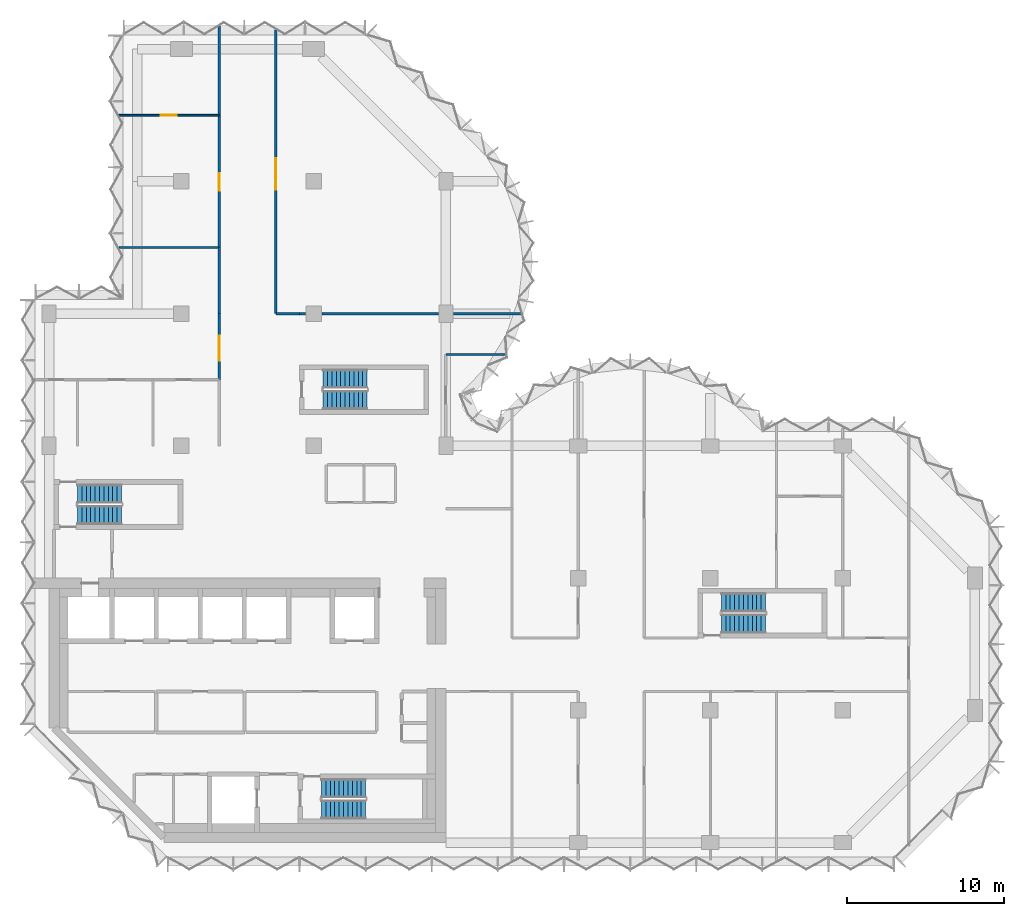
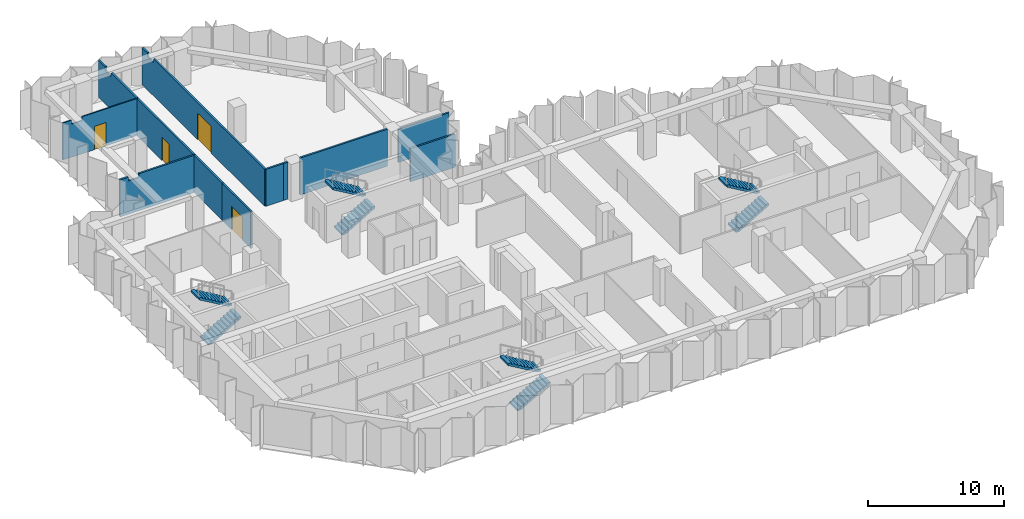
# One storey, part 8 of 10: 12 walls, 8 stair flights, 4 doors, 4 openings, 4 elements without a shape of their own.
"""IFC4 building model written with IfcOpenShell, lengths in metres."""

from ifc_helpers import new_model, si_unit, direction, frame, frame_2d, origin, place, context, subcontext, project, spatial, polyline, rectangle, outline, extrude, material, layer, layer_set, type_object, element, fill, aggregate, save


model = new_model("IFC4")

# Units and contexts
model_context = context("Model", 3, precision=1e-05, world=origin(), true_north=direction((0.0, 1.0)))
body_context = subcontext(model_context, "Body", "Model", "MODEL_VIEW")
ifc_project = project(units=[si_unit("LENGTHUNIT", "METRE"), si_unit("AREAUNIT", "SQUARE_METRE"), si_unit("VOLUMEUNIT", "CUBIC_METRE"), si_unit("PLANEANGLEUNIT", "RADIAN"), si_unit("MASSUNIT", "GRAM", prefix="KILO")], contexts=[model_context])

# Site, building, storey
site_placement = place(None, origin())
site = spatial("IfcSite", under=ifc_project, at=site_placement, CompositionType="ELEMENT")
building_placement = place(site_placement, origin())
building = spatial("IfcBuilding", under=site, at=building_placement, Name="Brevane Broadcast Tower", CompositionType="ELEMENT")
storey_placement = place(building_placement, frame((0.0, 0.0, 174.0)))
storey = spatial("IfcBuildingStorey", under=building, at=storey_placement, Name="L43", CompositionType="ELEMENT", Elevation=174.0)

# Wall, opening, door
ifc_material_1 = material(Name="Gypsum board partition")
ifc_layer_1 = layer(ifc_material_1, 0.10009765625)
ifc_layer_set_1 = layer_set([ifc_layer_1], Name="PARTITION 100 STUD")
wall_type_1 = type_object("IfcWallType", Name="PARTITION 100 STUD", PredefinedType="PARTITIONING", material=ifc_layer_set_1)
wall_1_placement = place(storey_placement, frame((4.426025390625, 46.199951171875, 0.0), z_axis=(0.0, 0.0, 1.0), x_axis=(1.0, 0.0, 0.0)))
wall_1 = element("IfcWall", 1, at=wall_1_placement, inside=storey, type_object=wall_type_1, Name="Partition G12-054", PredefinedType="PARTITIONING", context=body_context, shape_type="SweptSolid", body=[
    extrude(outline(polyline([(0.0, 0.0), (6.3740234375, 0.0), (6.3740234375, 3.330078125), (1.6240234375, 3.330078125), (1.6220703125, 2.97998046875), (0.72607421875, 2.97998046875), (0.72412109375, 3.330078125), (0.073974609375, 3.330078125), (0.0, 3.330078125), (0.0, 0.0)])), frame((0.0, 0.050048828125, 0.0), z_axis=(0.0, -1.0, 0.0), x_axis=(1.0, 0.0, 0.0)), (0.0, 0.0, 1.0), 0.10009765625),
])
opening_1_placement = place(wall_1_placement, frame((2.674072265625, 0.0, 0.0)))
opening_1 = element("IfcOpeningElement", 2, at=opening_1_placement, cuts=wall_1, Name="Opening D21-018", PredefinedType="OPENING", context=body_context, shape_type="SweptSolid", body=[
    extrude(rectangle(XDim=1.0, YDim=2.10009765625, at=frame_2d((0.5, 1.050048828125))), frame((0.0, 0.06005859375, 0.0), z_axis=(0.0, -1.0, 0.0), x_axis=(1.0, 0.0, 0.0)), (0.0, 0.0, 1.0), 0.1201171875),
])
ifc_material_2 = material(Name="Timber door leaf", Category="wood")
door_type_1 = type_object("IfcDoorType", Name="DOOR SINGLE 1000 INTERNAL", OperationType="SINGLE_SWING_LEFT", PredefinedType="DOOR", material=ifc_material_2)
door_1_placement = place(opening_1_placement, origin())
door_1 = element("IfcDoor", 3, at=door_1_placement, inside=storey, type_object=door_type_1, Name="Door D21-018", OperationType="SINGLE_SWING_LEFT", OverallHeight=2.10009765625, OverallWidth=1.0, PredefinedType="DOOR", context=body_context, shape_type="SweptSolid", body=[
    extrude(rectangle(XDim=1.0, YDim=2.10009765625, at=frame_2d((0.5, 1.050048828125))), frame((0.0, 0.02490234375, 0.0), z_axis=(0.0, -1.0, 0.0), x_axis=(1.0, 0.0, 0.0)), (0.0, 0.0, 1.0), 0.050048828125),
])
fill(opening_1, door_1)

# Wall
ifc_layer_2 = layer(ifc_material_1, 0.14990234375)
ifc_layer_set_2 = layer_set([ifc_layer_2], Name="PARTITION 150 EI 60")
wall_type_2 = type_object("IfcWallType", Name="PARTITION 150 EI 60", PredefinedType="PARTITIONING", material=ifc_layer_set_2)
wall_2_placement = place(storey_placement, frame((25.199951171875, 31.0, 0.0), z_axis=(0.0, 0.0, 1.0), x_axis=(1.0, 0.0, 0.0)))
element("IfcWall", 4, at=wall_2_placement, inside=storey, type_object=wall_type_2, Name="Partition G12-006", PredefinedType="PARTITIONING", context=body_context, shape_type="SweptSolid", body=[
    extrude(rectangle(XDim=3.80615234375, YDim=0.14990234375, at=frame_2d((1.903076171875, 0.0))), origin(), (0.0, 0.0, 1.0), 2.97998046875),
])

# Wall, opening, door
wall_3_placement = place(storey_placement, frame((10.800048828125, 29.39990234375, 0.0), z_axis=(0.0, 0.0, 1.0), x_axis=(0.0, 1.0, 0.0)))
wall_3 = element("IfcWall", 5, at=wall_3_placement, inside=storey, type_object=wall_type_2, Name="Partition G12-038", PredefinedType="PARTITIONING", context=body_context, shape_type="SweptSolid", body=[
    extrude(rectangle(XDim=4.2001953125, YDim=0.14990234375, at=frame_2d((2.10009765625, 0.0))), origin(), (0.0, 0.0, 1.0), 3.330078125),
])
opening_2_placement = place(wall_3_placement, frame((1.199951171875, 0.0, 0.0)))
opening_2 = element("IfcOpeningElement", 6, at=opening_2_placement, cuts=wall_3, Name="Opening D21-013", PredefinedType="OPENING", context=body_context, shape_type="SweptSolid", body=[
    extrude(rectangle(XDim=1.60009765625, YDim=2.10009765625, at=frame_2d((0.800048828125, 1.050048828125))), frame((0.0, 0.0849609375, 0.0), z_axis=(0.0, -1.0, 0.0), x_axis=(1.0, 0.0, 0.0)), (0.0, 0.0, 1.0), 0.169921875),
])
ifc_material_3 = material(Name="Fire-rated timber door leaf", Category="wood")
door_type_2 = type_object("IfcDoorType", Name="DOOR DOUBLE 1600 FD30S", OperationType="DOUBLE_DOOR_SINGLE_SWING", PredefinedType="DOOR", material=ifc_material_3)
door_2_placement = place(opening_2_placement, origin())
door_2 = element("IfcDoor", 7, at=door_2_placement, inside=storey, type_object=door_type_2, Name="Door D21-013", OperationType="DOUBLE_DOOR_SINGLE_SWING", OverallHeight=2.10009765625, OverallWidth=1.60009765625, PredefinedType="DOOR", context=body_context, shape_type="SweptSolid", body=[
    extrude(rectangle(XDim=1.60009765625, YDim=2.10009765625, at=frame_2d((0.800048828125, 1.050048828125))), frame((0.0, 0.02490234375, 0.0), z_axis=(0.0, -1.0, 0.0), x_axis=(1.0, 0.0, 0.0)), (0.0, 0.0, 1.0), 0.050048828125),
])
fill(opening_2, door_2)

# Walls
wall_4_placement = place(storey_placement, frame((14.39990234375, 33.60009765625, 0.0), z_axis=(0.0, 0.0, 1.0), x_axis=(1.0, 0.0, 0.0)))
element("IfcWall", 8, at=wall_4_placement, inside=storey, type_object=wall_type_2, Name="Partition G12-040", PredefinedType="PARTITIONING", context=body_context, shape_type="SweptSolid", body=[
    extrude(rectangle(XDim=1.5, YDim=0.14990234375, at=frame_2d((0.75, 0.0))), origin(), (0.0, 0.0, 1.0), 3.330078125),
])
wall_5_placement = place(storey_placement, frame((15.89990234375, 33.60009765625, 0.0), z_axis=(0.0, 0.0, 1.0), x_axis=(1.0, 0.0, 0.0)))
element("IfcWall", 9, at=wall_5_placement, inside=storey, type_object=wall_type_2, Name="Partition G12-041", PredefinedType="PARTITIONING", context=body_context, shape_type="SweptSolid", body=[
    extrude(rectangle(XDim=0.380126953125, YDim=0.14990234375, at=frame_2d((0.18994140625, 0.0))), origin(), (0.0, 0.0, 1.0), 3.330078125),
])
wall_6_placement = place(storey_placement, frame((17.320068359375, 33.60009765625, 0.0), z_axis=(0.0, 0.0, 1.0), x_axis=(1.0, 0.0, 0.0)))
element("IfcWall", 10, at=wall_6_placement, inside=storey, type_object=wall_type_2, Name="Partition G12-042", PredefinedType="PARTITIONING", context=body_context, shape_type="SweptSolid", body=[
    extrude(rectangle(XDim=7.409912109375, YDim=0.14990234375, at=frame_2d((3.705078125, 0.0))), origin(), (0.0, 0.0, 1.0), 3.330078125),
])
wall_7_placement = place(storey_placement, frame((25.669921875, 33.60009765625, 0.0), z_axis=(0.0, 0.0, 1.0), x_axis=(1.0, 0.0, 0.0)))
element("IfcWall", 11, at=wall_7_placement, inside=storey, type_object=wall_type_2, Name="Partition G12-043", PredefinedType="PARTITIONING", context=body_context, shape_type="SweptSolid", body=[
    extrude(rectangle(XDim=4.318359375, YDim=0.14990234375, at=frame_2d((2.1591796875, 0.0))), origin(), (0.0, 0.0, 1.0), 2.97998046875),
])
wall_8_placement = place(storey_placement, frame((10.800048828125, 33.60009765625, 0.0), z_axis=(0.0, 0.0, 1.0), x_axis=(0.0, 1.0, 0.0)))
element("IfcWall", 12, at=wall_8_placement, inside=storey, type_object=wall_type_2, Name="Partition G12-044", PredefinedType="PARTITIONING", context=body_context, shape_type="SweptSolid", body=[
    extrude(rectangle(XDim=4.199951171875, YDim=0.14990234375, at=frame_2d((2.10009765625, 0.0))), origin(), (0.0, 0.0, 1.0), 3.330078125),
])

# Wall, opening, door
wall_9_placement = place(storey_placement, frame((10.800048828125, 37.800048828125, 0.0), z_axis=(0.0, 0.0, 1.0), x_axis=(0.0, 1.0, 0.0)))
wall_9 = element("IfcWall", 13, at=wall_9_placement, inside=storey, type_object=wall_type_2, Name="Partition G12-045", PredefinedType="PARTITIONING", context=body_context, shape_type="SweptSolid", body=[
    extrude(rectangle(XDim=8.39990234375, YDim=0.14990234375, at=frame_2d((4.199951171875, 0.0))), origin(), (0.0, 0.0, 1.0), 3.330078125),
])
opening_3_placement = place(wall_9_placement, frame((3.60009765625, 0.0, 0.0)))
opening_3 = element("IfcOpeningElement", 14, at=opening_3_placement, cuts=wall_9, Name="Opening D21-017", PredefinedType="OPENING", context=body_context, shape_type="SweptSolid", body=[
    extrude(rectangle(XDim=1.10009765625, YDim=2.10009765625, at=frame_2d((0.550048828125, 1.050048828125))), frame((0.0, 0.0849609375, 0.0), z_axis=(0.0, -1.0, 0.0), x_axis=(1.0, 0.0, 0.0)), (0.0, 0.0, 1.0), 0.169921875),
])
door_type_3 = type_object("IfcDoorType", Name="DOOR SINGLE 1100 FD30S", OperationType="SINGLE_SWING_LEFT", PredefinedType="DOOR", material=ifc_material_3)
door_3_placement = place(opening_3_placement, origin())
door_3 = element("IfcDoor", 15, at=door_3_placement, inside=storey, type_object=door_type_3, Name="Door D21-017", OperationType="SINGLE_SWING_LEFT", OverallHeight=2.10009765625, OverallWidth=1.10009765625, PredefinedType="DOOR", context=body_context, shape_type="SweptSolid", body=[
    extrude(rectangle(XDim=1.10009765625, YDim=2.10009765625, at=frame_2d((0.550048828125, 1.050048828125))), frame((0.0, 0.02490234375, 0.0), z_axis=(0.0, -1.0, 0.0), x_axis=(1.0, 0.0, 0.0)), (0.0, 0.0, 1.0), 0.050048828125),
])
fill(opening_3, door_3)

# Wall
wall_10_placement = place(storey_placement, frame((10.800048828125, 46.199951171875, 0.0), z_axis=(0.0, 0.0, 1.0), x_axis=(0.0, 1.0, 0.0)))
element("IfcWall", 16, at=wall_10_placement, inside=storey, type_object=wall_type_2, Name="Partition G12-046", PredefinedType="PARTITIONING", context=body_context, shape_type="SweptSolid", body=[
    extrude(outline(polyline([(0.0, 0.0), (5.6611328125, 0.0), (5.660888671875, 3.330078125), (5.280029296875, 3.330078125), (4.64990234375, 3.330078125), (4.64794921875, 2.97998046875), (3.751953125, 2.97998046875), (3.75, 3.330078125), (0.0, 3.330078125), (0.0, 0.0)])), frame((0.0, 0.074951171875, 0.0), z_axis=(0.0, -1.0, 0.0), x_axis=(1.0, 0.0, 0.0)), (0.0, 0.0, 1.0), 0.14990234375),
])

# Wall, opening, door
wall_11_placement = place(storey_placement, frame((14.39990234375, 51.624755859375, 0.0), z_axis=(0.0, 0.0, 1.0), x_axis=(0.0, -1.0, 0.0)))
wall_11 = element("IfcWall", 17, at=wall_11_placement, inside=storey, type_object=wall_type_2, Name="Partition G12-047", PredefinedType="PARTITIONING", context=body_context, shape_type="SweptSolid", body=[
    extrude(outline(polyline([(0.0, 0.0), (18.024658203125, 0.0), (18.024658203125, 3.330078125), (1.6748046875, 3.330078125), (1.672607421875, 2.97998046875), (0.776611328125, 2.97998046875), (0.774658203125, 3.330078125), (0.144775390625, 3.330078125), (0.0, 3.330078125), (0.0, 0.0)])), frame((0.0, 0.074951171875, 0.0), z_axis=(0.0, -1.0, 0.0), x_axis=(1.0, 0.0, 0.0)), (0.0, 0.0, 1.0), 0.14990234375),
])
opening_4_placement = place(wall_11_placement, frame((8.144775390625, 0.0, 0.0)))
opening_4 = element("IfcOpeningElement", 18, at=opening_4_placement, cuts=wall_11, Name="Opening D21-019", PredefinedType="OPENING", context=body_context, shape_type="SweptSolid", body=[
    extrude(rectangle(XDim=2.0, YDim=2.39990234375, at=frame_2d((1.0, 1.199951171875))), frame((0.0, 0.0849609375, 0.0), z_axis=(0.0, -1.0, 0.0), x_axis=(1.0, 0.0, 0.0)), (0.0, 0.0, 1.0), 0.169921875),
])
door_type_4 = type_object("IfcDoorType", Name="DOOR DOUBLE 2000 FD30S", OperationType="DOUBLE_DOOR_SINGLE_SWING", PredefinedType="DOOR", material=ifc_material_3)
door_4_placement = place(opening_4_placement, origin())
door_4 = element("IfcDoor", 19, at=door_4_placement, inside=storey, type_object=door_type_4, Name="Door D21-019", OperationType="DOUBLE_DOOR_SINGLE_SWING", OverallHeight=2.39990234375, OverallWidth=2.0, PredefinedType="DOOR", context=body_context, shape_type="SweptSolid", body=[
    extrude(rectangle(XDim=2.0, YDim=2.39990234375, at=frame_2d((1.0, 1.199951171875))), frame((0.0, 0.02490234375, 0.0), z_axis=(0.0, -1.0, 0.0), x_axis=(1.0, 0.0, 0.0)), (0.0, 0.0, 1.0), 0.050048828125),
])
fill(opening_4, door_4)

# Wall
wall_12_placement = place(storey_placement, frame((4.426025390625, 37.800048828125, 0.0), z_axis=(0.0, 0.0, 1.0), x_axis=(1.0, 0.0, 0.0)))
element("IfcWall", 20, at=wall_12_placement, inside=storey, type_object=wall_type_2, Name="Partition G12-051", PredefinedType="PARTITIONING", context=body_context, shape_type="SweptSolid", body=[
    extrude(outline(polyline([(0.0, 0.0), (6.3740234375, 0.0), (6.3740234375, 3.330078125), (1.6240234375, 3.330078125), (1.6220703125, 2.97998046875), (0.72607421875, 2.97998046875), (0.72412109375, 3.330078125), (0.073974609375, 3.330078125), (0.0, 3.330078125), (0.0, 0.0)])), frame((0.0, 0.074951171875, 0.0), z_axis=(0.0, -1.0, 0.0), x_axis=(1.0, 0.0, 0.0)), (0.0, 0.0, 1.0), 0.14990234375),
])

# Stair, stair flights
ifc_material_4 = material(Name="Concrete C50/60", Category="concrete")
stair_type = type_object("IfcStairType", Name="Exit stair 22 risers", PredefinedType="HALF_TURN_STAIR", material=ifc_material_4)
stair_1_placement = place(storey_placement, origin())
stair_1 = element("IfcStair", 21, at=stair_1_placement, inside=storey, type_object=stair_type, Name="L43 Exit stair ST-1", PredefinedType="HALF_TURN_STAIR")
stair_flight_type = type_object("IfcStairFlightType", Name="Exit stair flight 22 risers", PredefinedType="STRAIGHT", material=ifc_material_4)
stair_flight_1_placement = place(storey_placement, frame((1.800048828125, 20.800048828125, 0.0), z_axis=(0.0, 0.0, 1.0), x_axis=(1.0, 0.0, 0.0)))
stair_flight_1 = element("IfcStairFlight", 22, at=stair_flight_1_placement, type_object=stair_flight_type, Name="ST-1 flight 1", NumberOfRisers=11, NumberOfTreads=10, PredefinedType="STRAIGHT", RiserHeight=0.163636364, TreadLength=0.28, context=body_context, shape_type="SweptSolid", body=[
    extrude(outline(polyline([(0.0, 0.0), (0.0, 0.16357421875), (0.280029296875, 0.16357421875), (0.280029296875, 0.327392578125), (0.56005859375, 0.327392578125), (0.56005859375, 0.490966796875), (0.840087890625, 0.490966796875), (0.840087890625, 0.654541015625), (1.1201171875, 0.654541015625), (1.1201171875, 0.818115234375), (1.39990234375, 0.818115234375), (1.39990234375, 0.98193359375), (1.679931640625, 0.98193359375), (1.679931640625, 1.1455078125), (1.9599609375, 1.1455078125), (1.9599609375, 1.30908203125), (2.239990234375, 1.30908203125), (2.239990234375, 1.47265625), (2.52001953125, 1.47265625), (2.52001953125, 1.636474609375), (2.800048828125, 1.636474609375), (2.800048828125, 1.800048828125), (2.800048828125, 1.462646484375), (0.297119140625, 0.0), (0.0, 0.0)])), frame((0.0, 0.60009765625, 0.0), z_axis=(0.0, -1.0, 0.0), x_axis=(1.0, 0.0, 0.0)), (0.0, 0.0, 1.0), 1.199951171875),
])
stair_flight_2_placement = place(storey_placement, frame((4.60009765625, 22.14990234375, 1.800048828125), z_axis=(0.0, 0.0, 1.0), x_axis=(-1.0, 0.0, 0.0)))
stair_flight_2 = element("IfcStairFlight", 23, at=stair_flight_2_placement, type_object=stair_flight_type, Name="ST-1 flight 2", NumberOfRisers=11, NumberOfTreads=10, PredefinedType="STRAIGHT", RiserHeight=0.163636364, TreadLength=0.28, context=body_context, shape_type="SweptSolid", body=[
    extrude(outline(polyline([(0.0, 0.0), (0.0, 0.16357421875), (0.280029296875, 0.16357421875), (0.280029296875, 0.327392578125), (0.56005859375, 0.327392578125), (0.56005859375, 0.490966796875), (0.840087890625, 0.490966796875), (0.840087890625, 0.654541015625), (1.1201171875, 0.654541015625), (1.1201171875, 0.818115234375), (1.39990234375, 0.818115234375), (1.39990234375, 0.98193359375), (1.679931640625, 0.98193359375), (1.679931640625, 1.1455078125), (1.9599609375, 1.1455078125), (1.9599609375, 1.30908203125), (2.239990234375, 1.30908203125), (2.239990234375, 1.47265625), (2.52001953125, 1.47265625), (2.52001953125, 1.636474609375), (2.800048828125, 1.636474609375), (2.800048828125, 1.800048828125), (2.800048828125, 1.462646484375), (0.297119140625, 0.0), (0.0, 0.0)])), frame((0.0, 0.60009765625, 0.0), z_axis=(0.0, -1.0, 0.0), x_axis=(1.0, 0.0, 0.0)), (0.0, 0.0, 1.0), 1.199951171875),
])
aggregate(stair_1, [stair_flight_1, stair_flight_2])

stair_2_placement = place(storey_placement, origin())
stair_2 = element("IfcStair", 24, at=stair_2_placement, inside=storey, type_object=stair_type, Name="L43 Exit stair ST-2", PredefinedType="HALF_TURN_STAIR")
stair_flight_3_placement = place(storey_placement, frame((17.300048828125, 2.10009765625, 0.0), z_axis=(0.0, 0.0, 1.0), x_axis=(1.0, 0.0, 0.0)))
stair_flight_3 = element("IfcStairFlight", 25, at=stair_flight_3_placement, type_object=stair_flight_type, Name="ST-2 flight 1", NumberOfRisers=11, NumberOfTreads=10, PredefinedType="STRAIGHT", RiserHeight=0.163636364, TreadLength=0.28, context=body_context, shape_type="SweptSolid", body=[
    extrude(outline(polyline([(0.0, 0.0), (0.0, 0.16357421875), (0.280029296875, 0.16357421875), (0.280029296875, 0.327392578125), (0.56005859375, 0.327392578125), (0.56005859375, 0.490966796875), (0.840087890625, 0.490966796875), (0.840087890625, 0.654541015625), (1.1201171875, 0.654541015625), (1.1201171875, 0.818115234375), (1.39990234375, 0.818115234375), (1.39990234375, 0.98193359375), (1.679931640625, 0.98193359375), (1.679931640625, 1.1455078125), (1.9599609375, 1.1455078125), (1.9599609375, 1.30908203125), (2.239990234375, 1.30908203125), (2.239990234375, 1.47265625), (2.52001953125, 1.47265625), (2.52001953125, 1.636474609375), (2.800048828125, 1.636474609375), (2.800048828125, 1.800048828125), (2.800048828125, 1.462646484375), (0.297119140625, 0.0), (0.0, 0.0)])), frame((0.0, 0.60009765625, 0.0), z_axis=(0.0, -1.0, 0.0), x_axis=(1.0, 0.0, 0.0)), (0.0, 0.0, 1.0), 1.199951171875),
])
stair_flight_4_placement = place(storey_placement, frame((20.10009765625, 3.449951171875, 1.800048828125), z_axis=(0.0, 0.0, 1.0), x_axis=(-1.0, 0.0, 0.0)))
stair_flight_4 = element("IfcStairFlight", 26, at=stair_flight_4_placement, type_object=stair_flight_type, Name="ST-2 flight 2", NumberOfRisers=11, NumberOfTreads=10, PredefinedType="STRAIGHT", RiserHeight=0.163636364, TreadLength=0.28, context=body_context, shape_type="SweptSolid", body=[
    extrude(outline(polyline([(0.0, 0.0), (0.0, 0.16357421875), (0.280029296875, 0.16357421875), (0.280029296875, 0.327392578125), (0.56005859375, 0.327392578125), (0.56005859375, 0.490966796875), (0.840087890625, 0.490966796875), (0.840087890625, 0.654541015625), (1.1201171875, 0.654541015625), (1.1201171875, 0.818115234375), (1.39990234375, 0.818115234375), (1.39990234375, 0.98193359375), (1.679931640625, 0.98193359375), (1.679931640625, 1.1455078125), (1.9599609375, 1.1455078125), (1.9599609375, 1.30908203125), (2.239990234375, 1.30908203125), (2.239990234375, 1.47265625), (2.52001953125, 1.47265625), (2.52001953125, 1.636474609375), (2.800048828125, 1.636474609375), (2.800048828125, 1.800048828125), (2.800048828125, 1.462646484375), (0.297119140625, 0.0), (0.0, 0.0)])), frame((0.0, 0.60009765625, 0.0), z_axis=(0.0, -1.0, 0.0), x_axis=(1.0, 0.0, 0.0)), (0.0, 0.0, 1.0), 1.199951171875),
])
aggregate(stair_2, [stair_flight_3, stair_flight_4])

stair_3_placement = place(storey_placement, origin())
stair_3 = element("IfcStair", 27, at=stair_3_placement, inside=storey, type_object=stair_type, Name="L43 Exit stair ST-3", PredefinedType="HALF_TURN_STAIR")
stair_flight_5_placement = place(storey_placement, frame((17.39990234375, 28.10009765625, 0.0), z_axis=(0.0, 0.0, 1.0), x_axis=(1.0, 0.0, 0.0)))
stair_flight_5 = element("IfcStairFlight", 28, at=stair_flight_5_placement, type_object=stair_flight_type, Name="ST-3 flight 1", NumberOfRisers=11, NumberOfTreads=10, PredefinedType="STRAIGHT", RiserHeight=0.163636364, TreadLength=0.28, context=body_context, shape_type="SweptSolid", body=[
    extrude(outline(polyline([(0.0, 0.0), (0.0, 0.16357421875), (0.280029296875, 0.16357421875), (0.280029296875, 0.327392578125), (0.56005859375, 0.327392578125), (0.56005859375, 0.490966796875), (0.840087890625, 0.490966796875), (0.840087890625, 0.654541015625), (1.1201171875, 0.654541015625), (1.1201171875, 0.818115234375), (1.39990234375, 0.818115234375), (1.39990234375, 0.98193359375), (1.679931640625, 0.98193359375), (1.679931640625, 1.1455078125), (1.9599609375, 1.1455078125), (1.9599609375, 1.30908203125), (2.239990234375, 1.30908203125), (2.239990234375, 1.47265625), (2.52001953125, 1.47265625), (2.52001953125, 1.636474609375), (2.800048828125, 1.636474609375), (2.800048828125, 1.800048828125), (2.800048828125, 1.462646484375), (0.297119140625, 0.0), (0.0, 0.0)])), frame((0.0, 0.60009765625, 0.0), z_axis=(0.0, -1.0, 0.0), x_axis=(1.0, 0.0, 0.0)), (0.0, 0.0, 1.0), 1.199951171875),
])
stair_flight_6_placement = place(storey_placement, frame((20.199951171875, 29.449951171875, 1.800048828125), z_axis=(0.0, 0.0, 1.0), x_axis=(-1.0, 0.0, 0.0)))
stair_flight_6 = element("IfcStairFlight", 29, at=stair_flight_6_placement, type_object=stair_flight_type, Name="ST-3 flight 2", NumberOfRisers=11, NumberOfTreads=10, PredefinedType="STRAIGHT", RiserHeight=0.163636364, TreadLength=0.28, context=body_context, shape_type="SweptSolid", body=[
    extrude(outline(polyline([(0.0, 0.0), (0.0, 0.16357421875), (0.280029296875, 0.16357421875), (0.280029296875, 0.327392578125), (0.56005859375, 0.327392578125), (0.56005859375, 0.490966796875), (0.840087890625, 0.490966796875), (0.840087890625, 0.654541015625), (1.1201171875, 0.654541015625), (1.1201171875, 0.818115234375), (1.39990234375, 0.818115234375), (1.39990234375, 0.98193359375), (1.679931640625, 0.98193359375), (1.679931640625, 1.1455078125), (1.9599609375, 1.1455078125), (1.9599609375, 1.30908203125), (2.239990234375, 1.30908203125), (2.239990234375, 1.47265625), (2.52001953125, 1.47265625), (2.52001953125, 1.636474609375), (2.800048828125, 1.636474609375), (2.800048828125, 1.800048828125), (2.800048828125, 1.462646484375), (0.297119140625, 0.0), (0.0, 0.0)])), frame((0.0, 0.60009765625, 0.0), z_axis=(0.0, -1.0, 0.0), x_axis=(1.0, 0.0, 0.0)), (0.0, 0.0, 1.0), 1.199951171875),
])
aggregate(stair_3, [stair_flight_5, stair_flight_6])

stair_4_placement = place(storey_placement, origin())
stair_4 = element("IfcStair", 30, at=stair_4_placement, inside=storey, type_object=stair_type, Name="L43 Exit stair ST-4", PredefinedType="HALF_TURN_STAIR")
stair_flight_7_placement = place(storey_placement, frame((42.699951171875, 13.89990234375, 0.0), z_axis=(0.0, 0.0, 1.0), x_axis=(1.0, 0.0, 0.0)))
stair_flight_7 = element("IfcStairFlight", 31, at=stair_flight_7_placement, type_object=stair_flight_type, Name="ST-4 flight 1", NumberOfRisers=11, NumberOfTreads=10, PredefinedType="STRAIGHT", RiserHeight=0.163636364, TreadLength=0.28, context=body_context, shape_type="SweptSolid", body=[
    extrude(outline(polyline([(0.0, 0.0), (0.0, 0.16357421875), (0.280029296875, 0.16357421875), (0.280029296875, 0.327392578125), (0.56005859375, 0.327392578125), (0.56005859375, 0.490966796875), (0.840087890625, 0.490966796875), (0.840087890625, 0.654541015625), (1.1201171875, 0.654541015625), (1.1201171875, 0.818115234375), (1.39990234375, 0.818115234375), (1.39990234375, 0.98193359375), (1.679931640625, 0.98193359375), (1.679931640625, 1.1455078125), (1.9599609375, 1.1455078125), (1.9599609375, 1.30908203125), (2.239990234375, 1.30908203125), (2.239990234375, 1.47265625), (2.52001953125, 1.47265625), (2.52001953125, 1.636474609375), (2.800048828125, 1.636474609375), (2.800048828125, 1.800048828125), (2.800048828125, 1.462646484375), (0.297119140625, 0.0), (0.0, 0.0)])), frame((0.0, 0.60009765625, 0.0), z_axis=(0.0, -1.0, 0.0), x_axis=(1.0, 0.0, 0.0)), (0.0, 0.0, 1.0), 1.199951171875),
])
stair_flight_8_placement = place(storey_placement, frame((45.5, 15.25, 1.800048828125), z_axis=(0.0, 0.0, 1.0), x_axis=(-1.0, 0.0, 0.0)))
stair_flight_8 = element("IfcStairFlight", 32, at=stair_flight_8_placement, type_object=stair_flight_type, Name="ST-4 flight 2", NumberOfRisers=11, NumberOfTreads=10, PredefinedType="STRAIGHT", RiserHeight=0.163636364, TreadLength=0.28, context=body_context, shape_type="SweptSolid", body=[
    extrude(outline(polyline([(0.0, 0.0), (0.0, 0.16357421875), (0.280029296875, 0.16357421875), (0.280029296875, 0.327392578125), (0.56005859375, 0.327392578125), (0.56005859375, 0.490966796875), (0.840087890625, 0.490966796875), (0.840087890625, 0.654541015625), (1.1201171875, 0.654541015625), (1.1201171875, 0.818115234375), (1.39990234375, 0.818115234375), (1.39990234375, 0.98193359375), (1.679931640625, 0.98193359375), (1.679931640625, 1.1455078125), (1.9599609375, 1.1455078125), (1.9599609375, 1.30908203125), (2.239990234375, 1.30908203125), (2.239990234375, 1.47265625), (2.52001953125, 1.47265625), (2.52001953125, 1.636474609375), (2.800048828125, 1.636474609375), (2.800048828125, 1.800048828125), (2.800048828125, 1.462646484375), (0.297119140625, 0.0), (0.0, 0.0)])), frame((0.0, 0.60009765625, 0.0), z_axis=(0.0, -1.0, 0.0), x_axis=(1.0, 0.0, 0.0)), (0.0, 0.0, 1.0), 1.199951171875),
])
aggregate(stair_4, [stair_flight_7, stair_flight_8])

save(model, "model.ifc")
